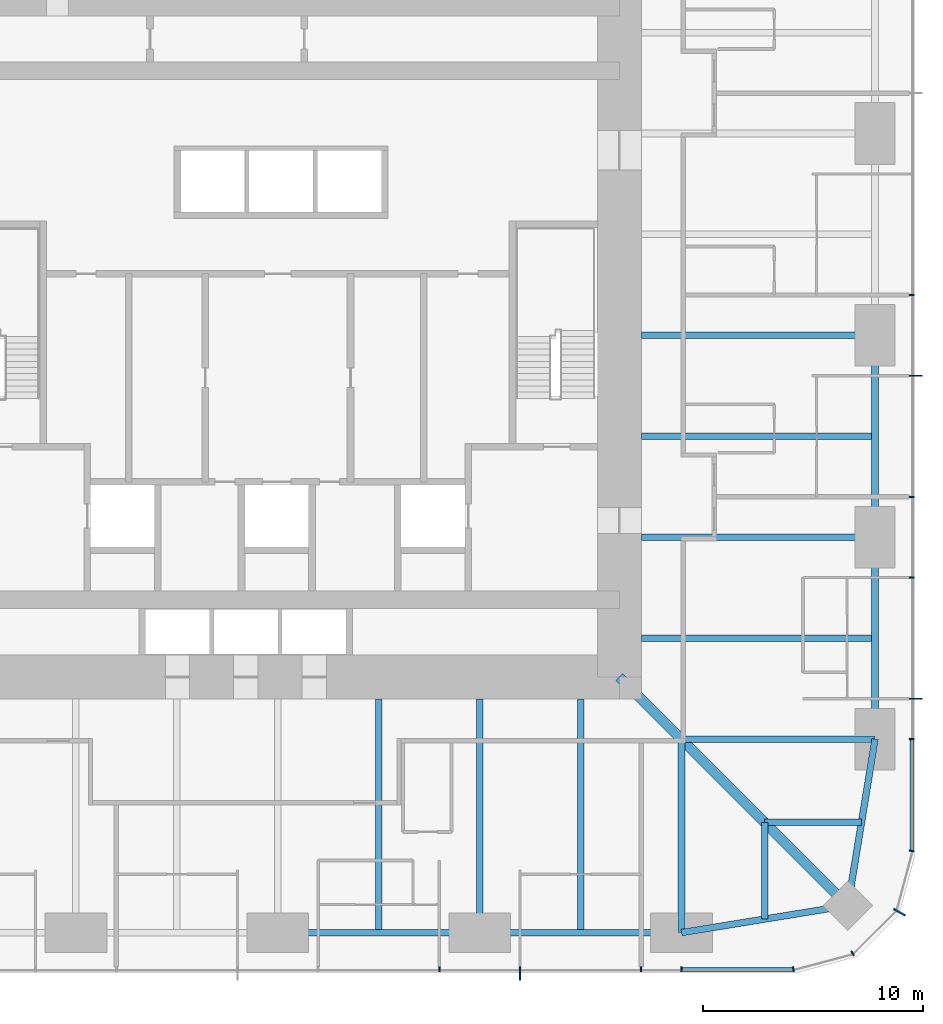
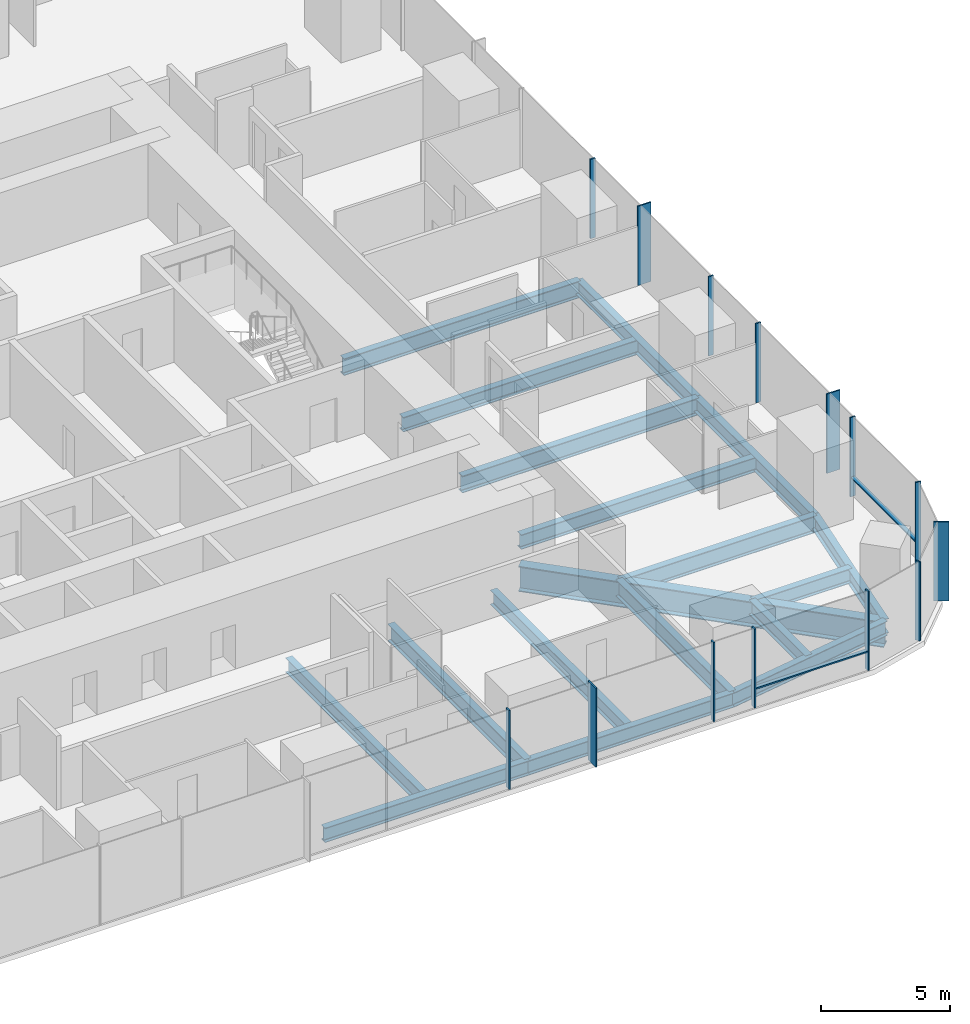
# One storey, part 4 of 13: 18 beams, 16 members, 3 elements without a shape of their own.
"""IFC4 building model written with IfcOpenShell, lengths in metres."""

from ifc_helpers import new_model, si_unit, direction, frame, origin, origin_2d, place, context, subcontext, project, spatial, rectangle, i_section, extrude, material, material_profile, profile_set, type_object, element, aggregate, save


model = new_model("IFC4")

# Units and contexts
model_context = context("Model", 3, precision=1e-05, world=origin(), true_north=direction((0.0, 1.0)))
body_context = subcontext(model_context, "Body", "Model", "MODEL_VIEW")
ifc_project = project(units=[si_unit("LENGTHUNIT", "METRE"), si_unit("AREAUNIT", "SQUARE_METRE"), si_unit("VOLUMEUNIT", "CUBIC_METRE"), si_unit("PLANEANGLEUNIT", "RADIAN"), si_unit("MASSUNIT", "GRAM", prefix="KILO")], contexts=[model_context])

# Site, building, storey
site_placement = place(None, origin())
site = spatial("IfcSite", under=ifc_project, at=site_placement, CompositionType="ELEMENT")
building_placement = place(site_placement, origin())
building = spatial("IfcBuilding", under=site, at=building_placement, Name="Khuree Lantern Residences", CompositionType="ELEMENT")
storey_placement = place(building_placement, frame((0.0, 0.0, 137.25)))
storey = spatial("IfcBuildingStorey", under=building, at=storey_placement, Name="L34", CompositionType="ELEMENT", Elevation=137.25)

# Beams
ifc_material_1 = material(Name="Steel S355", Category="steel")
ifc_material_profile_1 = material_profile(ifc_material_1, i_section(OverallWidth=0.300048828125, OverallDepth=0.68994140625, WebThickness=0.014404296875, FlangeThickness=0.027099609375, FilletRadius=0.027099609375, at=origin_2d()), Name="HE 700 A")
ifc_profile_set_1 = profile_set([ifc_material_profile_1], Name="Steel S355")
beam_type_1 = type_object("IfcBeamType", Name="B-23 SECONDARY BEAM HE 700 A", PredefinedType="BEAM", material=ifc_profile_set_1)
for number, where, z_axis, x_axis, name in (
    (1, (27.10009765625, -4.580078125, -0.594970703125), (-1.0, 0.0, 0.0), (0.0, -1.0, 0.0), "Secondary beam E4"),
    (2, (27.10009765625, -13.739990234375, -0.594970703125), (-1.0, 0.0, 0.0), (0.0, -1.0, 0.0), "Secondary beam E5"),
):
    element("IfcBeam", number, at=place(storey_placement, frame(where, z_axis=z_axis, x_axis=x_axis)), inside=storey, type_object=beam_type_1, Name=name, PredefinedType="BEAM", context=body_context, shape_type="SweptSolid", body=[
        extrude(i_section(OverallWidth=0.300048828125, OverallDepth=0.68994140625, WebThickness=0.014404296875, FlangeThickness=0.027099609375, FilletRadius=0.027099609375, at=origin_2d()), origin(), (0.0, 0.0, 1.0), 10.60009765625),
    ])
for number, where, z_axis, x_axis, name in (
    (3, (26.48486328125, -22.094970703125, -0.594970703125), (-1.0, 0.0, 0.0), (0.0, -1.0, 0.0), "Secondary beam E6"),
    (4, (22.094970703125, -26.48486328125, -0.594970703125), (0.0, 1.0, 0.0), (-1.0, 0.0, 0.0), "Secondary beam S1"),
):
    element("IfcBeam", number, at=place(storey_placement, frame(where, z_axis=z_axis, x_axis=x_axis)), inside=storey, type_object=beam_type_1, Name=name, PredefinedType="BEAM", context=body_context, shape_type="SweptSolid", body=[
        extrude(i_section(OverallWidth=0.300048828125, OverallDepth=0.68994140625, WebThickness=0.014404296875, FlangeThickness=0.027099609375, FilletRadius=0.027099609375, at=origin_2d()), origin(), (0.0, 0.0, 1.0), 4.389892578125),
    ])
for number, where, z_axis, x_axis, name in (
    (5, (13.739990234375, -27.10009765625, -0.594970703125), (0.0, 1.0, 0.0), (-1.0, 0.0, 0.0), "Secondary beam S2"),
    (6, (4.580078125, -27.10009765625, -0.594970703125), (0.0, 1.0, 0.0), (-1.0, 0.0, 0.0), "Secondary beam S3"),
):
    element("IfcBeam", number, at=place(storey_placement, frame(where, z_axis=z_axis, x_axis=x_axis)), inside=storey, type_object=beam_type_1, Name=name, PredefinedType="BEAM", context=body_context, shape_type="SweptSolid", body=[
        extrude(i_section(OverallWidth=0.300048828125, OverallDepth=0.68994140625, WebThickness=0.014404296875, FlangeThickness=0.027099609375, FilletRadius=0.027099609375, at=origin_2d()), origin(), (0.0, 0.0, 1.0), 10.60009765625),
    ])
ifc_material_profile_2 = material_profile(ifc_material_1, i_section(OverallWidth=0.300048828125, OverallDepth=0.68994140625, WebThickness=0.014404296875, FlangeThickness=0.027099609375, FilletRadius=0.027099609375, at=origin_2d()), Name="HE 700 A")
ifc_profile_set_2 = profile_set([ifc_material_profile_2], Name="Steel S355")
beam_type_2 = type_object("IfcBeamType", Name="E-23 SPANDREL BEAM HE 700 A", PredefinedType="SPANDREL", material=ifc_profile_set_2)
beam_1_placement = place(storey_placement, frame((27.10009765625, 0.0, -0.594970703125), z_axis=(0.0, -1.0, 0.0), x_axis=(1.0, 0.0, 0.0)))
element("IfcBeam", 7, at=beam_1_placement, inside=storey, type_object=beam_type_2, Name="Spandrel beam E4", PredefinedType="SPANDREL", context=body_context, shape_type="SweptSolid", body=[
    extrude(i_section(OverallWidth=0.300048828125, OverallDepth=0.68994140625, WebThickness=0.014404296875, FlangeThickness=0.027099609375, FilletRadius=0.027099609375, at=origin_2d()), origin(), (0.0, 0.0, 1.0), 9.159912109375),
])
beam_2_placement = place(storey_placement, frame((27.10009765625, -9.159912109375, -0.594970703125), z_axis=(0.0, -1.0, 0.0), x_axis=(1.0, 0.0, 0.0)))
element("IfcBeam", 8, at=beam_2_placement, inside=storey, type_object=beam_type_2, Name="Spandrel beam E5", PredefinedType="SPANDREL", context=body_context, shape_type="SweptSolid", body=[
    extrude(i_section(OverallWidth=0.300048828125, OverallDepth=0.68994140625, WebThickness=0.014404296875, FlangeThickness=0.027099609375, FilletRadius=0.027099609375, at=origin_2d()), origin(), (0.0, 0.0, 1.0), 9.16015625),
])
for number, where, z_axis, x_axis, name in (
    (9, (27.10009765625, -18.320068359375, -0.594970703125), (-0.160826723833, -0.986982656839, 0.0), (0.986982656839, -0.160826723833, 0.0), "Spandrel beam E6"),
    (10, (25.869873046875, -25.869873046875, -0.594970703125), (-0.986982656839, -0.160826723833, 0.0), (0.160826723833, -0.986982656839, 0.0), "Spandrel beam S1"),
):
    element("IfcBeam", number, at=place(storey_placement, frame(where, z_axis=z_axis, x_axis=x_axis)), inside=storey, type_object=beam_type_2, Name=name, PredefinedType="SPANDREL", context=body_context, shape_type="SweptSolid", body=[
        extrude(i_section(OverallWidth=0.300048828125, OverallDepth=0.68994140625, WebThickness=0.014404296875, FlangeThickness=0.027099609375, FilletRadius=0.027099609375, at=origin_2d()), origin(), (0.0, 0.0, 1.0), 7.6494140625),
    ])
beam_3_placement = place(storey_placement, frame((18.320068359375, -27.10009765625, -0.594970703125), z_axis=(-1.0, 0.0, 0.0), x_axis=(0.0, -1.0, 0.0)))
element("IfcBeam", 11, at=beam_3_placement, inside=storey, type_object=beam_type_2, Name="Spandrel beam S2", PredefinedType="SPANDREL", context=body_context, shape_type="SweptSolid", body=[
    extrude(i_section(OverallWidth=0.300048828125, OverallDepth=0.68994140625, WebThickness=0.014404296875, FlangeThickness=0.027099609375, FilletRadius=0.027099609375, at=origin_2d()), origin(), (0.0, 0.0, 1.0), 9.16015625),
])
beam_4_placement = place(storey_placement, frame((9.159912109375, -27.10009765625, -0.594970703125), z_axis=(-1.0, 0.0, 0.0), x_axis=(0.0, -1.0, 0.0)))
element("IfcBeam", 12, at=beam_4_placement, inside=storey, type_object=beam_type_2, Name="Spandrel beam S3", PredefinedType="SPANDREL", context=body_context, shape_type="SweptSolid", body=[
    extrude(i_section(OverallWidth=0.300048828125, OverallDepth=0.68994140625, WebThickness=0.014404296875, FlangeThickness=0.027099609375, FilletRadius=0.027099609375, at=origin_2d()), origin(), (0.0, 0.0, 1.0), 9.159912109375),
])

# Curtain wall, member
ifc_material_2 = material(Name="Bronze anodised aluminium", Category="aluminium")
curtain_wall_type_1 = type_object("IfcCurtainWallType", Name="CW-T2 TOWER CORNER CURTAIN WALL", PredefinedType="USERDEFINED", material=ifc_material_2)
curtain_wall_1_placement = place(storey_placement, origin())
curtain_wall_1 = element("IfcCurtainWall", 13, at=curtain_wall_1_placement, inside=storey, type_object=curtain_wall_type_1, Name="L34 SOUTH-EAST CORNER CURTAIN WALL", ObjectType="Faceted corner curtain wall", PredefinedType="USERDEFINED")
ifc_material_profile_3 = material_profile(ifc_material_2, rectangle(XDim=0.06494140625, YDim=0.60009765625, at=origin_2d()), Name="F1 65X600")
ifc_profile_set_3 = profile_set([ifc_material_profile_3], Name="Bronze anodised aluminium")
member_type_1 = type_object("IfcMemberType", Name="F1 BRONZE FIN MULLION TOWER 65X600", PredefinedType="MULLION", material=ifc_profile_set_3)
member_1_placement = place(storey_placement, frame((28.20654296875, -26.175048828125, 0.0), z_axis=(0.0, 0.0, 1.0), x_axis=(0.500000026995, 0.866025388199, 0.0)))
member_1 = element("IfcMember", 14, at=member_1_placement, type_object=member_type_1, Name="L34 SOUTH-EAST CORNER FIN MULLION 3", PredefinedType="MULLION", context=body_context, shape_type="SweptSolid", body=[
    extrude(rectangle(XDim=0.06494140625, YDim=0.60009765625, at=origin_2d()), origin(), (0.0, 0.0, 1.0), 3.75),
])

# Curtain wall, members
curtain_wall_type_2 = type_object("IfcCurtainWallType", Name="CW-T1 TOWER FACE CURTAIN WALL", PredefinedType="USERDEFINED", material=ifc_material_2)
curtain_wall_2_placement = place(storey_placement, origin())
curtain_wall_2 = element("IfcCurtainWall", 15, at=curtain_wall_2_placement, inside=storey, type_object=curtain_wall_type_2, Name="L34 EAST FACE CURTAIN WALL", ObjectType="Stick-built curtain wall", PredefinedType="USERDEFINED")
member_2_placement = place(storey_placement, frame((28.949951171875, -16.488037109375, 0.0), z_axis=(0.0, 0.0, 1.0), x_axis=(0.0, 1.0, 0.0)))
member_2 = element("IfcMember", 16, at=member_2_placement, type_object=member_type_1, Name="L34 EAST FACE FIN MULLION 6", PredefinedType="MULLION", context=body_context, shape_type="SweptSolid", body=[
    extrude(rectangle(XDim=0.06494140625, YDim=0.60009765625, at=origin_2d()), origin(), (0.0, 0.0, 1.0), 3.75),
])
member_3_placement = place(storey_placement, frame((28.949951171875, -1.83203125, 0.0), z_axis=(0.0, 0.0, 1.0), x_axis=(0.0, 1.0, 0.0)))
member_3 = element("IfcMember", 17, at=member_3_placement, type_object=member_type_1, Name="L34 EAST FACE FIN MULLION 9", PredefinedType="MULLION", context=body_context, shape_type="SweptSolid", body=[
    extrude(rectangle(XDim=0.06494140625, YDim=0.60009765625, at=origin_2d()), origin(), (0.0, 0.0, 1.0), 3.75),
])

# Curtain wall, member
curtain_wall_3_placement = place(storey_placement, origin())
curtain_wall_3 = element("IfcCurtainWall", 18, at=curtain_wall_3_placement, inside=storey, type_object=curtain_wall_type_2, Name="L34 SOUTH FACE CURTAIN WALL", ObjectType="Stick-built curtain wall", PredefinedType="USERDEFINED")
member_4_placement = place(storey_placement, frame((10.991943359375, -28.949951171875, 0.0), z_axis=(0.0, 0.0, 1.0), x_axis=(1.0, 0.0, 0.0)))
member_4 = element("IfcMember", 19, at=member_4_placement, type_object=member_type_1, Name="L34 SOUTH FACE FIN MULLION 54", PredefinedType="MULLION", context=body_context, shape_type="SweptSolid", body=[
    extrude(rectangle(XDim=0.06494140625, YDim=0.60009765625, at=origin_2d()), origin(), (0.0, 0.0, 1.0), 3.75),
])

# Beams
ifc_material_profile_4 = material_profile(ifc_material_1, i_section(OverallWidth=0.300048828125, OverallDepth=0.800048828125, WebThickness=0.017578125, FlangeThickness=0.032958984375, FilletRadius=0.030029296875, at=origin_2d()), Name="HE 800 B")
ifc_profile_set_4 = profile_set([ifc_material_profile_4], Name="Steel S355")
beam_type_3 = type_object("IfcBeamType", Name="G-23 GIRDER HE 800 B", PredefinedType="BEAM", material=ifc_profile_set_4)
for number, where, z_axis, x_axis, name in (
    (20, (27.10009765625, 0.0, -0.64990234375), (-1.0, 0.0, 0.0), (0.0, -1.0, 0.0), "Girder E3"),
    (21, (27.10009765625, -9.159912109375, -0.64990234375), (-1.0, 0.0, 0.0), (0.0, -1.0, 0.0), "Girder E4"),
):
    element("IfcBeam", number, at=place(storey_placement, frame(where, z_axis=z_axis, x_axis=x_axis)), inside=storey, type_object=beam_type_3, Name=name, PredefinedType="BEAM", context=body_context, shape_type="SweptSolid", body=[
        extrude(i_section(OverallWidth=0.300048828125, OverallDepth=0.800048828125, WebThickness=0.017578125, FlangeThickness=0.032958984375, FilletRadius=0.030029296875, at=origin_2d()), origin(), (0.0, 0.0, 1.0), 10.60009765625),
    ])
for number, where, z_axis, x_axis, name in (
    (22, (27.10009765625, -18.320068359375, -0.64990234375), (-1.0, 0.0, 0.0), (0.0, -1.0, 0.0), "Girder E5"),
    (23, (18.320068359375, -27.10009765625, -0.64990234375), (0.0, 1.0, 0.0), (-1.0, 0.0, 0.0), "Girder S1"),
):
    element("IfcBeam", number, at=place(storey_placement, frame(where, z_axis=z_axis, x_axis=x_axis)), inside=storey, type_object=beam_type_3, Name=name, PredefinedType="BEAM", context=body_context, shape_type="SweptSolid", body=[
        extrude(i_section(OverallWidth=0.300048828125, OverallDepth=0.800048828125, WebThickness=0.017578125, FlangeThickness=0.032958984375, FilletRadius=0.030029296875, at=origin_2d()), origin(), (0.0, 0.0, 1.0), 8.780029296875),
    ])
beam_5_placement = place(storey_placement, frame((9.159912109375, -27.10009765625, -0.64990234375), z_axis=(0.0, 1.0, 0.0), x_axis=(-1.0, 0.0, 0.0)))
element("IfcBeam", 24, at=beam_5_placement, inside=storey, type_object=beam_type_3, Name="Girder S2", PredefinedType="BEAM", context=body_context, shape_type="SweptSolid", body=[
    extrude(i_section(OverallWidth=0.300048828125, OverallDepth=0.800048828125, WebThickness=0.017578125, FlangeThickness=0.032958984375, FilletRadius=0.030029296875, at=origin_2d()), origin(), (0.0, 0.0, 1.0), 10.60009765625),
])
ifc_material_profile_5 = material_profile(ifc_material_1, i_section(OverallWidth=0.449951171875, OverallDepth=1.199951171875, WebThickness=0.02490234375, FlangeThickness=0.044921875, at=origin_2d()), Name="WELDED I 1200X450X25X45")
ifc_profile_set_5 = profile_set([ifc_material_profile_5], Name="Steel S355")
beam_type_4 = type_object("IfcBeamType", Name="GD-23 CORNER GIRDER WELDED I 1200X450X25X45", PredefinedType="BEAM", material=ifc_profile_set_5)
beam_6_placement = place(storey_placement, frame((25.869873046875, -25.869873046875, -0.85009765625), z_axis=(-0.707106781187, 0.707106781187, 0.0), x_axis=(-0.707106781187, -0.707106781187, 0.0)))
element("IfcBeam", 25, at=beam_6_placement, inside=storey, type_object=beam_type_4, Name="Corner girder SE", PredefinedType="BEAM", context=body_context, shape_type="SweptSolid", body=[
    extrude(i_section(OverallWidth=0.449951171875, OverallDepth=1.199951171875, WebThickness=0.02490234375, FlangeThickness=0.044921875, at=origin_2d()), origin(), (0.0, 0.0, 1.0), 14.665283203125),
])

# Member
ifc_material_profile_6 = material_profile(ifc_material_2, rectangle(XDim=0.06494140625, YDim=0.219970703125, at=origin_2d()), Name="M1 65X220")
ifc_profile_set_6 = profile_set([ifc_material_profile_6], Name="Bronze anodised aluminium")
member_type_2 = type_object("IfcMemberType", Name="M1 BRONZE MULLION TOWER 65X220", PredefinedType="MULLION", material=ifc_profile_set_6)
member_5_placement = place(storey_placement, frame((23.39501953125, -28.76171875, 0.0), z_axis=(0.0, 0.0, 1.0), x_axis=(0.991444857305, 0.130526223125, 0.0)))
member_5 = element("IfcMember", 26, at=member_5_placement, type_object=member_type_2, Name="L34 SOUTH-EAST CORNER MULLION 1", PredefinedType="MULLION", context=body_context, shape_type="SweptSolid", body=[
    extrude(rectangle(XDim=0.06494140625, YDim=0.219970703125, at=origin_2d()), origin(), (0.0, 0.0, 1.0), 3.75),
])

member_6_placement = place(storey_placement, frame((26.080078125, -28.0419921875, 0.0), z_axis=(0.0, 0.0, 1.0), x_axis=(0.866025388199, 0.500000026995, 0.0)))
member_6 = element("IfcMember", 27, at=member_6_placement, type_object=member_type_2, Name="L34 SOUTH-EAST CORNER MULLION 2", PredefinedType="MULLION", context=body_context, shape_type="SweptSolid", body=[
    extrude(rectangle(XDim=0.06494140625, YDim=0.219970703125, at=origin_2d()), origin(), (0.0, 0.0, 1.0), 3.75),
])

aggregate(curtain_wall_1, [member_5, member_6, member_1])

member_7_placement = place(storey_placement, frame((28.76171875, -23.39501953125, 0.0), z_axis=(0.0, 0.0, 1.0), x_axis=(0.130526223125, 0.991444857305, 0.0)))
member_7 = element("IfcMember", 28, at=member_7_placement, type_object=member_type_2, Name="L34 EAST FACE MULLION 4", PredefinedType="MULLION", context=body_context, shape_type="SweptSolid", body=[
    extrude(rectangle(XDim=0.06494140625, YDim=0.219970703125, at=origin_2d()), origin(), (0.0, 0.0, 1.0), 3.75),
])

member_8_placement = place(storey_placement, frame((28.760009765625, -18.320068359375, 0.0), z_axis=(0.0, 0.0, 1.0), x_axis=(0.0, 1.0, 0.0)))
member_8 = element("IfcMember", 29, at=member_8_placement, type_object=member_type_2, Name="L34 EAST FACE MULLION 5", PredefinedType="MULLION", context=body_context, shape_type="SweptSolid", body=[
    extrude(rectangle(XDim=0.06494140625, YDim=0.219970703125, at=origin_2d()), origin(), (0.0, 0.0, 1.0), 3.75),
])

member_9_placement = place(storey_placement, frame((28.760009765625, -10.991943359375, 0.0), z_axis=(0.0, 0.0, 1.0), x_axis=(0.0, 1.0, 0.0)))
member_9 = element("IfcMember", 30, at=member_9_placement, type_object=member_type_2, Name="L34 EAST FACE MULLION 7", PredefinedType="MULLION", context=body_context, shape_type="SweptSolid", body=[
    extrude(rectangle(XDim=0.06494140625, YDim=0.219970703125, at=origin_2d()), origin(), (0.0, 0.0, 1.0), 3.75),
])

member_10_placement = place(storey_placement, frame((28.760009765625, -7.327880859375, 0.0), z_axis=(0.0, 0.0, 1.0), x_axis=(0.0, 1.0, 0.0)))
member_10 = element("IfcMember", 31, at=member_10_placement, type_object=member_type_2, Name="L34 EAST FACE MULLION 8", PredefinedType="MULLION", context=body_context, shape_type="SweptSolid", body=[
    extrude(rectangle(XDim=0.06494140625, YDim=0.219970703125, at=origin_2d()), origin(), (0.0, 0.0, 1.0), 3.75),
])

member_11_placement = place(storey_placement, frame((28.760009765625, 1.83203125, 0.0), z_axis=(0.0, 0.0, 1.0), x_axis=(0.0, 1.0, 0.0)))
member_11 = element("IfcMember", 32, at=member_11_placement, type_object=member_type_2, Name="L34 EAST FACE MULLION 10", PredefinedType="MULLION", context=body_context, shape_type="SweptSolid", body=[
    extrude(rectangle(XDim=0.06494140625, YDim=0.219970703125, at=origin_2d()), origin(), (0.0, 0.0, 1.0), 3.75),
])

member_12_placement = place(storey_placement, frame((7.327880859375, -28.760009765625, 0.0), z_axis=(0.0, 0.0, 1.0), x_axis=(1.0, 0.0, 0.0)))
member_12 = element("IfcMember", 33, at=member_12_placement, type_object=member_type_2, Name="L34 SOUTH FACE MULLION 53", PredefinedType="MULLION", context=body_context, shape_type="SweptSolid", body=[
    extrude(rectangle(XDim=0.06494140625, YDim=0.219970703125, at=origin_2d()), origin(), (0.0, 0.0, 1.0), 3.75),
])

member_13_placement = place(storey_placement, frame((16.488037109375, -28.760009765625, 0.0), z_axis=(0.0, 0.0, 1.0), x_axis=(1.0, 0.0, 0.0)))
member_13 = element("IfcMember", 34, at=member_13_placement, type_object=member_type_2, Name="L34 SOUTH FACE MULLION 55", PredefinedType="MULLION", context=body_context, shape_type="SweptSolid", body=[
    extrude(rectangle(XDim=0.06494140625, YDim=0.219970703125, at=origin_2d()), origin(), (0.0, 0.0, 1.0), 3.75),
])

member_14_placement = place(storey_placement, frame((18.320068359375, -28.760009765625, 0.0), z_axis=(0.0, 0.0, 1.0), x_axis=(1.0, 0.0, 0.0)))
member_14 = element("IfcMember", 35, at=member_14_placement, type_object=member_type_2, Name="L34 SOUTH FACE MULLION 56", PredefinedType="MULLION", context=body_context, shape_type="SweptSolid", body=[
    extrude(rectangle(XDim=0.06494140625, YDim=0.219970703125, at=origin_2d()), origin(), (0.0, 0.0, 1.0), 3.75),
])

ifc_material_profile_7 = material_profile(ifc_material_2, rectangle(XDim=0.179931640625, YDim=0.06494140625, at=origin_2d()), Name="T1 180X65")
ifc_profile_set_7 = profile_set([ifc_material_profile_7], Name="Bronze anodised aluminium")
member_type_3 = type_object("IfcMemberType", Name="TRANSOM T1 TOWER 180X65", PredefinedType="USERDEFINED", material=ifc_profile_set_7)
member_15_placement = place(storey_placement, frame((28.77001953125, -23.351318359375, 0.89990234375), z_axis=(0.0, 1.0, 0.0), x_axis=(-1.0, 0.0, 0.0)))
member_15 = element("IfcMember", 36, at=member_15_placement, type_object=member_type_3, Name="L34 EAST FACE TRANSOM 4.1", ObjectType="Transom", PredefinedType="USERDEFINED", context=body_context, shape_type="SweptSolid", body=[
    extrude(rectangle(XDim=0.179931640625, YDim=0.06494140625, at=origin_2d()), origin(), (0.0, 0.0, 1.0), 4.998779296875),
])

aggregate(curtain_wall_2, [member_7, member_8, member_2, member_9, member_10, member_3, member_11, member_15])

member_16_placement = place(storey_placement, frame((18.3525390625, -28.77001953125, 0.89990234375), z_axis=(1.0, 0.0, 0.0), x_axis=(0.0, 1.0, 0.0)))
member_16 = element("IfcMember", 37, at=member_16_placement, type_object=member_type_3, Name="L34 SOUTH FACE TRANSOM 56.1", ObjectType="Transom", PredefinedType="USERDEFINED", context=body_context, shape_type="SweptSolid", body=[
    extrude(rectangle(XDim=0.179931640625, YDim=0.06494140625, at=origin_2d()), origin(), (0.0, 0.0, 1.0), 4.998779296875),
])

aggregate(curtain_wall_3, [member_12, member_4, member_13, member_14, member_16])

save(model, "model.ifc")
